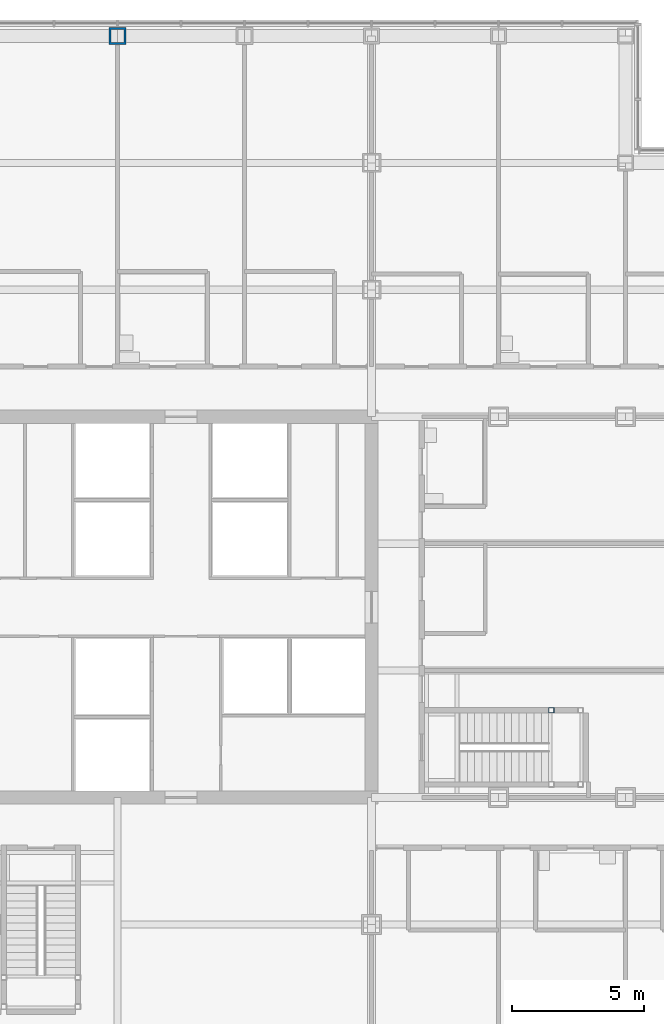
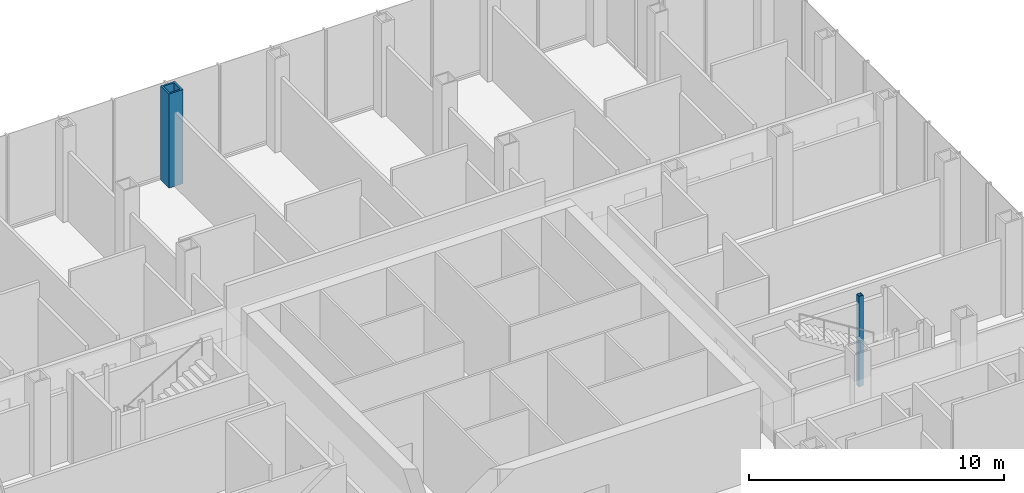
# One storey, part 8 of 26: 2 columns.
"""IFC4 building model written with IfcOpenShell, lengths in metres."""

from ifc_helpers import new_model, si_unit, direction, frame, origin, origin_2d, place, context, subcontext, project, spatial, hollow_rectangle, extrude, material, material_profile, profile_set, type_object, element, save


model = new_model("IFC4")

# Units and contexts
model_context = context("Model", 3, precision=1e-05, world=origin(), true_north=direction((0.0, 1.0)))
body_context = subcontext(model_context, "Body", "Model", "MODEL_VIEW")
ifc_project = project(units=[si_unit("LENGTHUNIT", "METRE"), si_unit("AREAUNIT", "SQUARE_METRE"), si_unit("VOLUMEUNIT", "CUBIC_METRE"), si_unit("PLANEANGLEUNIT", "RADIAN"), si_unit("MASSUNIT", "GRAM", prefix="KILO")], contexts=[model_context])

# Site, building, storey
site_placement = place(None, origin())
site = spatial("IfcSite", under=ifc_project, at=site_placement, CompositionType="ELEMENT")
building_placement = place(site_placement, origin())
building = spatial("IfcBuilding", under=site, at=building_placement, Name="Kvirike Care Tower", CompositionType="ELEMENT")
storey_placement = place(building_placement, frame((0.0, 0.0, 18.0)))
storey = spatial("IfcBuildingStorey", under=building, at=storey_placement, Name="L04", CompositionType="ELEMENT", Elevation=18.0)

# Columns
ifc_material_1 = material(Name="Steel S460", Category="steel")
ifc_material_profile_1 = material_profile(ifc_material_1, hollow_rectangle(XDim=0.64990234375, YDim=0.64990234375, WallThickness=0.080078125, at=origin_2d()), Name="BX 650x650x80")
ifc_profile_set_1 = profile_set([ifc_material_profile_1], Name="Steel S460")
column_type_1 = type_object("IfcColumnType", Name="COLUMN BX 650x650x80", PredefinedType="COLUMN", material=ifc_profile_set_1)
column_1_placement = place(storey_placement, frame((19.199951171875, 57.60009765625, 0.0), z_axis=(0.0, 0.0, 1.0), x_axis=(0.0, 1.0, 0.0)))
element("IfcColumn", 1, at=column_1_placement, inside=storey, type_object=column_type_1, Name="Column N7 L04", PredefinedType="COLUMN", context=body_context, shape_type="SweptSolid", body=[
    extrude(hollow_rectangle(XDim=0.64990234375, YDim=0.64990234375, WallThickness=0.080078125, at=origin_2d()), origin(), (0.0, 0.0, 1.0), 4.5),
])
ifc_material_2 = material(Name="Steel S460", Category="steel")
ifc_material_profile_2 = material_profile(ifc_material_2, hollow_rectangle(XDim=0.199951171875, YDim=0.199951171875, WallThickness=0.008056640625, at=origin_2d()), Name="SHS 200x200x8")
ifc_profile_set_2 = profile_set([ifc_material_profile_2], Name="Steel S460")
column_type_2 = type_object("IfcColumnType", Name="STAIR POST SHS 200x200x8", PredefinedType="COLUMN", material=ifc_profile_set_2)
column_2_placement = place(storey_placement, frame((35.60009765625, 32.10009765625, 0.0), z_axis=(0.0, 0.0, 1.0), x_axis=(1.0, 0.0, 0.0)))
element("IfcColumn", 2, at=column_2_placement, inside=storey, type_object=column_type_2, Name="Stair 2 post 4 L04", PredefinedType="COLUMN", context=body_context, shape_type="SweptSolid", body=[
    extrude(hollow_rectangle(XDim=0.199951171875, YDim=0.199951171875, WallThickness=0.008056640625, at=origin_2d()), origin(), (0.0, 0.0, 1.0), 4.330078125),
])

save(model, "model.ifc")
